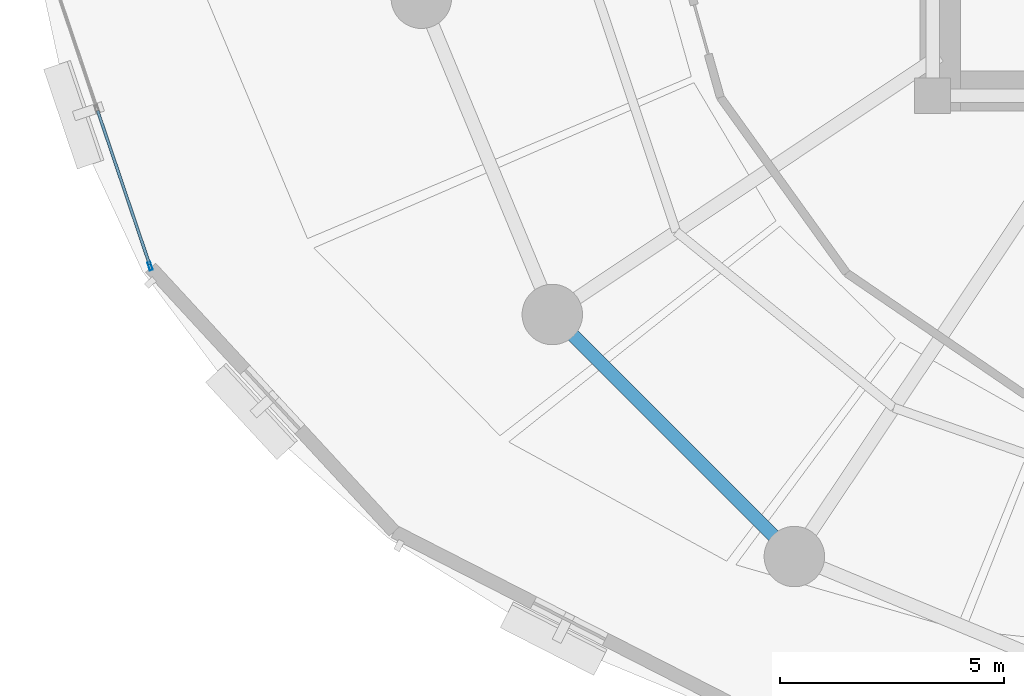
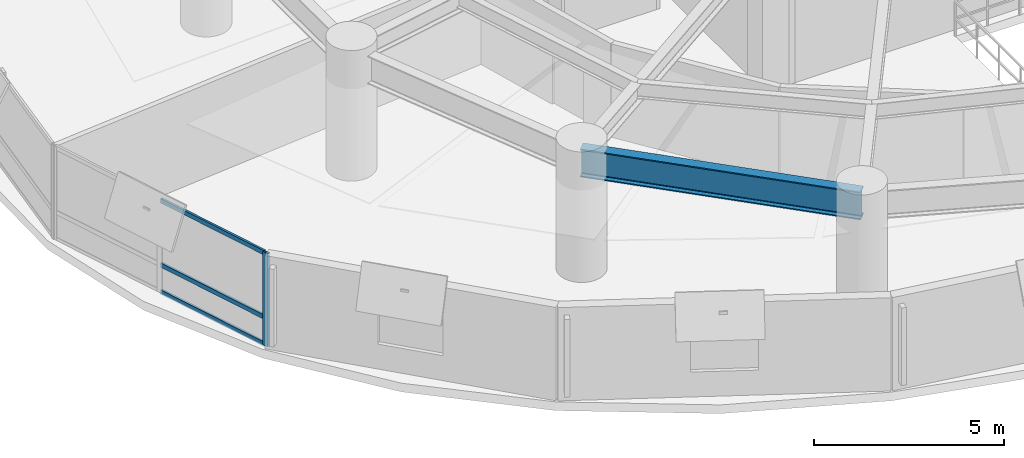
# One storey, part 2 of 17: 4 members, 1 beam, 1 element without a shape of its own.
"""IFC4 building model written with IfcOpenShell, lengths in metres."""

from ifc_helpers import new_model, si_unit, direction, frame, origin, origin_2d, place, context, subcontext, project, spatial, hollow_rectangle, i_section, extrude, material, layer, layer_set, material_profile, profile_set, type_object, element, aggregate, save


model = new_model("IFC4")

# Units and contexts
model_context = context("Model", 3, precision=1e-05, world=origin(), true_north=direction((0.0, 1.0)))
body_context = subcontext(model_context, "Body", "Model", "MODEL_VIEW")
ifc_project = project(units=[si_unit("LENGTHUNIT", "METRE"), si_unit("AREAUNIT", "SQUARE_METRE"), si_unit("VOLUMEUNIT", "CUBIC_METRE"), si_unit("PLANEANGLEUNIT", "RADIAN"), si_unit("MASSUNIT", "GRAM", prefix="KILO"), si_unit("THERMODYNAMICTEMPERATUREUNIT", "KELVIN"), si_unit("POWERUNIT", "WATT")], contexts=[model_context])

# Site, building, storey
site_placement = place(None, origin())
site = spatial("IfcSite", under=ifc_project, at=site_placement, CompositionType="ELEMENT")
building_placement = place(site_placement, origin())
building = spatial("IfcBuilding", under=site, at=building_placement, Name="Ocrelia Relay Tower", CompositionType="ELEMENT")
storey_placement = place(building_placement, frame((0.0, 0.0, 55.199951171875)))
storey = spatial("IfcBuildingStorey", under=building, at=storey_placement, Name="L12", CompositionType="ELEMENT", Elevation=55.199951171875)

# Beam
ifc_material_1 = material(Name="Steel S355", Category="steel")
ifc_material_profile_1 = material_profile(ifc_material_1, i_section(OverallWidth=0.300048828125, OverallDepth=0.89990234375, WebThickness=0.0185546875, FlangeThickness=0.034912109375, FilletRadius=0.030029296875, at=origin_2d()), Name="HEB 900")
ifc_profile_set_1 = profile_set([ifc_material_profile_1], Name="Steel S355")
beam_type = type_object("IfcBeamType", Name="BM-HEB900", PredefinedType="BEAM", material=ifc_profile_set_1)
beam_placement = place(storey_placement, frame((17.703125, 15.11083984375, 3.469970703125), z_axis=(0.707106781187, -0.707106781187, 0.0), x_axis=(0.707106781187, 0.707106781187, 0.0)))
element("IfcBeam", 1, at=beam_placement, inside=storey, type_object=beam_type, Name="L12 Perimeter Spandrel Beam S10", PredefinedType="BEAM", context=body_context, shape_type="SweptSolid", body=[
    extrude(i_section(OverallWidth=0.300048828125, OverallDepth=0.89990234375, WebThickness=0.0185546875, FlangeThickness=0.034912109375, FilletRadius=0.030029296875, at=origin_2d()), origin(), (0.0, 0.0, 1.0), 7.647705078125),
])

# Curtain wall, members
ifc_material_2 = material(Name="Aluminium and solar-control low-E glass", Category="aluminium")
ifc_layer = layer(ifc_material_2, 0.179931640625, Name="Aluminium and solar-control low-E glass")
ifc_layer_set = layer_set([ifc_layer], Name="Aluminium and solar-control low-E glass")
curtain_wall_type = type_object("IfcCurtainWallType", Name="CW-SYS-Z1-DATA", PredefinedType="NOTDEFINED", material=ifc_layer_set)
curtain_wall_placement = place(storey_placement, origin())
curtain_wall = element("IfcCurtainWall", 2, at=curtain_wall_placement, inside=storey, type_object=curtain_wall_type, Name="L12 Elliptical Tower Curtain Wall Bay 10", PredefinedType="NOTDEFINED")
ifc_material_3 = material(Name="Anodised bronze aluminium", Category="aluminium")
ifc_material_profile_2 = material_profile(ifc_material_3, hollow_rectangle(XDim=0.070068359375, YDim=0.179931640625, WallThickness=0.006103515625, at=origin_2d()), Name="CW-MUL-180x70")
ifc_profile_set_2 = profile_set([ifc_material_profile_2], Name="Anodised bronze aluminium")
member_type_1 = type_object("IfcMemberType", Name="CW-SYS-Z1-DATA-MUL", PredefinedType="MULLION", material=ifc_profile_set_2)
member_1_placement = place(storey_placement, frame((8.718017578125, 16.189453125, 0.0), z_axis=(0.0, 0.0, 1.0), x_axis=(0.947433239602, 0.319953522402, 0.0)))
member_1 = element("IfcMember", 3, at=member_1_placement, type_object=member_type_1, Name="CW-Z1 mullion 3", PredefinedType="MULLION", context=body_context, shape_type="SweptSolid", body=[
    extrude(hollow_rectangle(XDim=0.070068359375, YDim=0.179931640625, WallThickness=0.006103515625, at=origin_2d()), origin(), (0.0, 0.0, 1.0), 3.0),
])
ifc_material_profile_3 = material_profile(ifc_material_3, hollow_rectangle(XDim=0.06494140625, YDim=0.139892578125, WallThickness=0.0048828125, at=origin_2d()), Name="CW-TRN-140x65")
ifc_profile_set_3 = profile_set([ifc_material_profile_3], Name="Anodised bronze aluminium")
member_type_2 = type_object("IfcMemberType", Name="CW-SYS-Z1-DATA-TRN", PredefinedType="USERDEFINED", material=ifc_profile_set_3)
member_2_placement = place(storey_placement, frame((7.544677734375, 19.66455078125, 0.032470703125), z_axis=(0.319894781883, -0.947453074576, 0.0), x_axis=(0.947453074576, 0.319894781883, 0.0)))
member_2 = element("IfcMember", 4, at=member_2_placement, type_object=member_type_2, Name="CW-Z1 transom 2.1", ObjectType="TRANSOM", PredefinedType="USERDEFINED", context=body_context, shape_type="SweptSolid", body=[
    extrude(hollow_rectangle(XDim=0.06494140625, YDim=0.139892578125, WallThickness=0.0048828125, at=origin_2d()), origin(), (0.0, 0.0, 1.0), 3.6328125),
])
member_3_placement = place(storey_placement, frame((7.544677734375, 19.66455078125, 0.900146484375), z_axis=(0.319894781883, -0.947453074576, 0.0), x_axis=(0.947453074576, 0.319894781883, 0.0)))
member_3 = element("IfcMember", 5, at=member_3_placement, type_object=member_type_2, Name="CW-Z1 transom 2.2", ObjectType="TRANSOM", PredefinedType="USERDEFINED", context=body_context, shape_type="SweptSolid", body=[
    extrude(hollow_rectangle(XDim=0.06494140625, YDim=0.139892578125, WallThickness=0.0048828125, at=origin_2d()), origin(), (0.0, 0.0, 1.0), 3.6328125),
])
member_4_placement = place(storey_placement, frame((7.544677734375, 19.66455078125, 2.967529296875), z_axis=(0.319894781883, -0.947453074576, 0.0), x_axis=(0.947453074576, 0.319894781883, 0.0)))
member_4 = element("IfcMember", 6, at=member_4_placement, type_object=member_type_2, Name="CW-Z1 transom 2.3", ObjectType="TRANSOM", PredefinedType="USERDEFINED", context=body_context, shape_type="SweptSolid", body=[
    extrude(hollow_rectangle(XDim=0.06494140625, YDim=0.139892578125, WallThickness=0.0048828125, at=origin_2d()), origin(), (0.0, 0.0, 1.0), 3.6328125),
])
aggregate(curtain_wall, [member_1, member_2, member_3, member_4])

save(model, "model.ifc")
